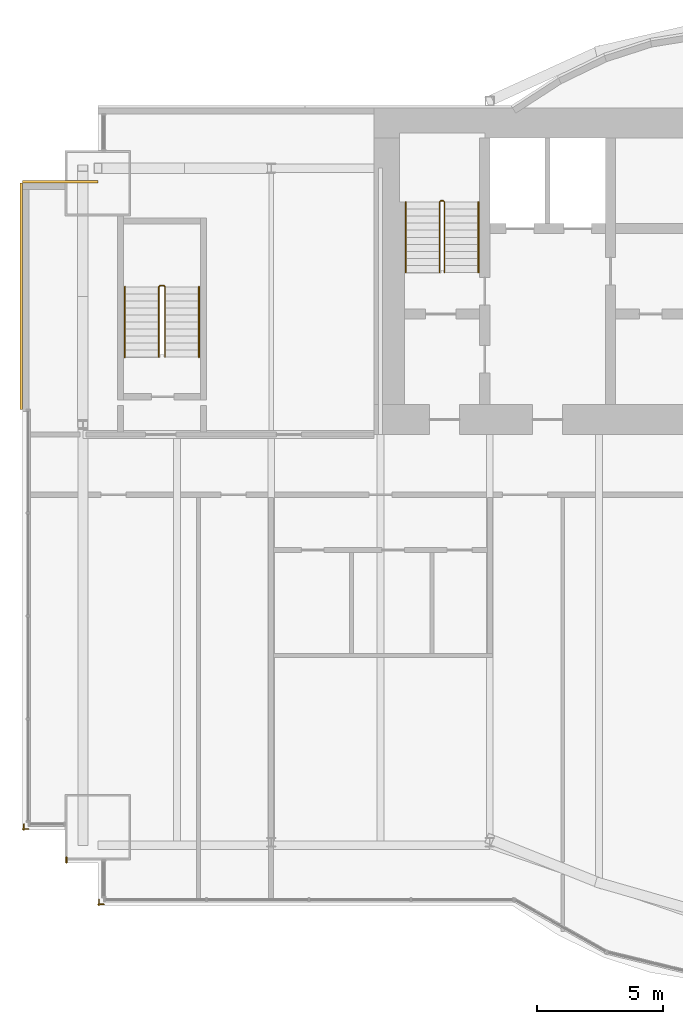
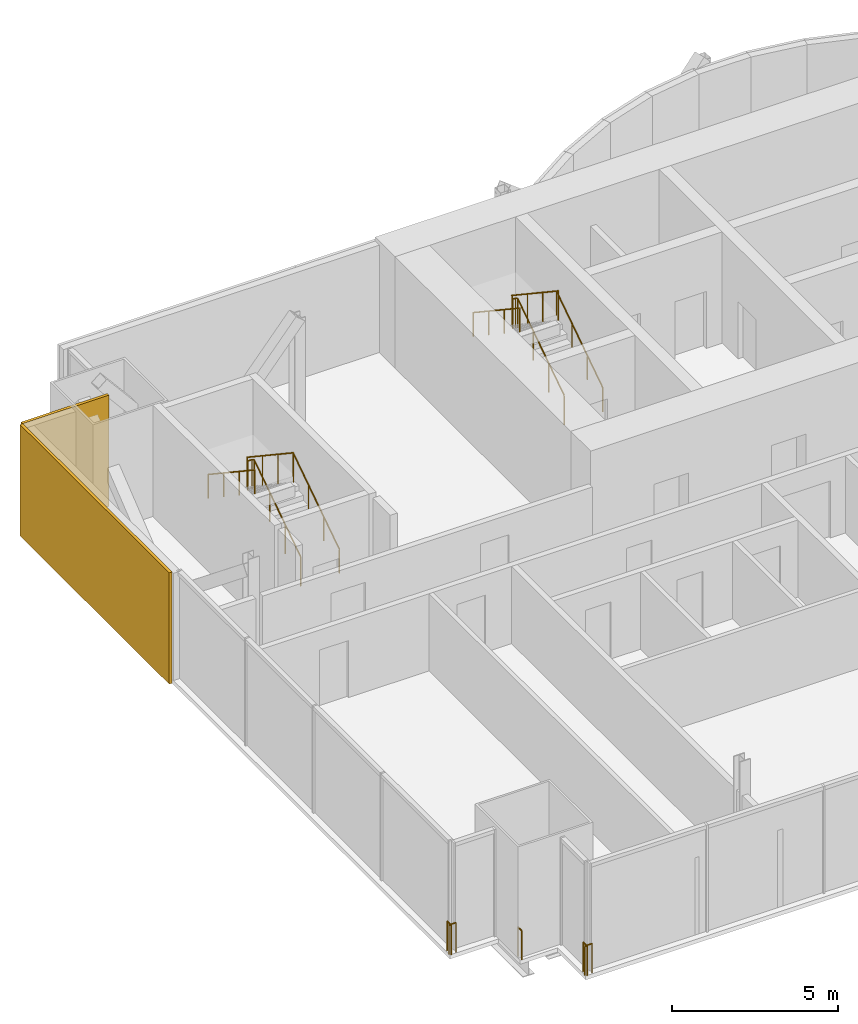
# One storey, part 18 of 20: 9 railings, 2 coverings.
"""IFC4 building model written with IfcOpenShell, lengths in metres."""

from ifc_helpers import new_model, si_unit, direction, frame, origin, origin_2d, place, context, subcontext, project, spatial, rectangle, circle, extrude, material, layer, layer_set, type_object, element, save


model = new_model("IFC4")

# Units and contexts
model_context = context("Model", 3, precision=1e-05, world=origin(), true_north=direction((0.0, 1.0)))
body_context = subcontext(model_context, "Body", "Model", "MODEL_VIEW")
ifc_project = project(units=[si_unit("LENGTHUNIT", "METRE"), si_unit("AREAUNIT", "SQUARE_METRE"), si_unit("VOLUMEUNIT", "CUBIC_METRE"), si_unit("PLANEANGLEUNIT", "RADIAN"), si_unit("MASSUNIT", "GRAM", prefix="KILO")], contexts=[model_context])

# Site, building, storey
site_placement = place(None, origin())
site = spatial("IfcSite", under=ifc_project, at=site_placement, CompositionType="ELEMENT")
building_placement = place(site_placement, origin())
building = spatial("IfcBuilding", under=site, at=building_placement, Name="Bicima Exchange Tower", CompositionType="ELEMENT")
storey_placement = place(building_placement, frame((0.0, 0.0, 215.5)))
storey = spatial("IfcBuildingStorey", under=building, at=storey_placement, Name="L48", CompositionType="ELEMENT", Elevation=215.5)

# Coverings
ifc_material_1 = material(Name="Bronze metal cladding")
ifc_layer_1 = layer(ifc_material_1, 0.004)
ifc_material_2 = material(Name="Ventilated cavity")
ifc_layer_2 = layer(ifc_material_2, 0.06)
ifc_material_3 = material(Name="Galvanised steel rail and mineral wool", Category="steel")
ifc_layer_3 = layer(ifc_material_3, 0.036)
ifc_layer_set = layer_set([ifc_layer_1, ifc_layer_2, ifc_layer_3], Name="Ventilated cavity")
covering_type = type_object("IfcCoveringType", Name="Bronze metal cladding panel 100", PredefinedType="CLADDING", material=ifc_layer_set)
covering_1_placement = place(storey_placement, frame((-34.5, -2.949951171875, -0.150146484375), z_axis=(0.0, 0.0, 1.0), x_axis=(-1.0, 0.0, 0.0)))
element("IfcCovering", 1, at=covering_1_placement, inside=storey, type_object=covering_type, Name="Bronze cladding L48 22.1", PredefinedType="CLADDING", context=body_context, shape_type="SweptSolid", body=[
    extrude(rectangle(XDim=3.0, YDim=0.10009765625, at=origin_2d()), origin(), (0.0, 0.0, 1.0), 4.10009765625),
])
covering_2_placement = place(storey_placement, frame((-36.050048828125, -7.5, -0.150146484375), z_axis=(0.0, 0.0, 1.0), x_axis=(0.0, -1.0, 0.0)))
element("IfcCovering", 2, at=covering_2_placement, inside=storey, type_object=covering_type, Name="Bronze cladding L48 23.1", PredefinedType="CLADDING", context=body_context, shape_type="SweptSolid", body=[
    extrude(rectangle(XDim=9.0, YDim=0.10009765625, at=origin_2d()), origin(), (0.0, 0.0, 1.0), 4.10009765625),
])

# Railings
ifc_material_4 = material(Name="Stainless steel and bonded safety glass", Category="steel")
railing_type_1 = type_object("IfcRailingType", Name="Edge guard 1100", PredefinedType="GUARDRAIL", material=ifc_material_4)
railing_1_placement = place(storey_placement, frame((-35.757080078125, -28.701904296875, 0.0)))
element("IfcRailing", 3, at=railing_1_placement, inside=storey, type_object=railing_type_1, Name="Edge guard L48 243", PredefinedType="GUARDRAIL", context=body_context, shape_type="SweptSolid", body=[
    extrude(circle(Radius=0.02392578125, at=origin_2d()), frame((0.0, 0.0, 1.076171875), z_axis=(-1.0, 0.0, 0.0), x_axis=(0.0, -1.0, 0.0)), (0.0, 0.0, 1.0), 0.242919921875),
    extrude(circle(Radius=0.02392578125, at=origin_2d()), frame((-0.242919921875, 0.0, 1.076171875), z_axis=(0.707106781187, -0.707106781187, 0.0), x_axis=(0.707106781187, 0.707106781187, 0.0)), (0.0, 0.0, 1.0), 0.07080078125),
    extrude(circle(Radius=0.02392578125, at=origin_2d()), frame((-0.19287109375, -0.050048828125, 1.076171875), z_axis=(0.0, 1.0, 0.0), x_axis=(-1.0, 0.0, 0.0)), (0.0, 0.0, 1.0), 0.248046875),
    extrude(circle(Radius=0.02099609375, at=origin_2d()), origin(), (0.0, 0.0, 1.0), 1.052001953125),
    extrude(circle(Radius=0.02099609375, at=origin_2d()), frame((-0.242919921875, 0.0, 0.0)), (0.0, 0.0, 1.0), 1.052001953125),
    extrude(circle(Radius=0.02099609375, at=origin_2d()), frame((-0.19287109375, -0.050048828125, 0.0)), (0.0, 0.0, 1.0), 1.052001953125),
    extrude(circle(Radius=0.02099609375, at=origin_2d()), frame((-0.19287109375, 0.197998046875, 0.0)), (0.0, 0.0, 1.0), 1.052001953125),
])
railing_2_placement = place(storey_placement, frame((-32.75, -31.701904296875, 0.0)))
element("IfcRailing", 4, at=railing_2_placement, inside=storey, type_object=railing_type_1, Name="Edge guard L48 247", PredefinedType="GUARDRAIL", context=body_context, shape_type="SweptSolid", body=[
    extrude(circle(Radius=0.02392578125, at=origin_2d()), frame((0.0, 0.0, 1.076171875), z_axis=(-1.0, 0.0, 0.0), x_axis=(0.0, -1.0, 0.0)), (0.0, 0.0, 1.0), 0.25),
    extrude(circle(Radius=0.02392578125, at=origin_2d()), frame((-0.25, 0.0, 1.076171875), z_axis=(0.707106781187, -0.707106781187, 0.0), x_axis=(0.707106781187, 0.707106781187, 0.0)), (0.0, 0.0, 1.0), 0.07080078125),
    extrude(circle(Radius=0.02392578125, at=origin_2d()), frame((-0.199951171875, -0.050048828125, 1.076171875), z_axis=(0.0, 1.0, 0.0), x_axis=(-1.0, 0.0, 0.0)), (0.0, 0.0, 1.0), 0.242919921875),
    extrude(circle(Radius=0.02099609375, at=origin_2d()), origin(), (0.0, 0.0, 1.0), 1.052001953125),
    extrude(circle(Radius=0.02099609375, at=origin_2d()), frame((-0.25, 0.0, 0.0)), (0.0, 0.0, 1.0), 1.052001953125),
    extrude(circle(Radius=0.02099609375, at=origin_2d()), frame((-0.199951171875, -0.050048828125, 0.0)), (0.0, 0.0, 1.0), 1.052001953125),
    extrude(circle(Radius=0.02099609375, at=origin_2d()), frame((-0.199951171875, 0.19287109375, 0.0)), (0.0, 0.0, 1.0), 1.052001953125),
])
railing_3_placement = place(storey_placement, frame((-34.25, -30.052001953125, 0.0)))
element("IfcRailing", 5, at=railing_3_placement, inside=storey, type_object=railing_type_1, Name="Edge guard L48 248", PredefinedType="GUARDRAIL", context=body_context, shape_type="SweptSolid", body=[
    extrude(circle(Radius=0.02392578125, at=origin_2d()), frame((0.0, 0.0, 1.076171875), z_axis=(0.0, 1.0, 0.0), x_axis=(-1.0, 0.0, 0.0)), (0.0, 0.0, 1.0), 0.217041015625),
    extrude(circle(Radius=0.02099609375, at=origin_2d()), origin(), (0.0, 0.0, 1.0), 1.052001953125),
    extrude(circle(Radius=0.02099609375, at=origin_2d()), frame((0.0, 0.217041015625, 0.0)), (0.0, 0.0, 1.0), 1.052001953125),
])
ifc_material_5 = material(Name="Stainless steel", Category="steel")
railing_type_2 = type_object("IfcRailingType", Name="Stair guard 1100", PredefinedType="GUARDRAIL", material=ifc_material_5)
railing_4_placement = place(storey_placement, frame((-19.199951171875, -6.550048828125, 0.186279296875)))
element("IfcRailing", 6, at=railing_4_placement, inside=storey, type_object=railing_type_2, Name="L48 ST-W stair guard 1", PredefinedType="GUARDRAIL", context=body_context, shape_type="SweptSolid", body=[
    extrude(circle(Radius=0.02392578125, at=origin_2d()), frame((0.0, 0.0, 1.076171875), z_axis=(0.0, 0.832452072856, 0.554097055034), x_axis=(-1.0, 0.0, 0.0)), (0.0, 0.0, 1.0), 3.363525390625),
    extrude(circle(Radius=0.02392578125, at=origin_2d()), frame((0.0, 2.800048828125, 2.93994140625), z_axis=(-0.707106781187, 0.707106781187, 0.0), x_axis=(-0.707106781187, -0.707106781187, 0.0)), (0.0, 0.0, 1.0), 0.07080078125),
    extrude(circle(Radius=0.02392578125, at=origin_2d()), frame((-0.050048828125, 2.85009765625, 2.93994140625), z_axis=(-1.0, 0.0, 0.0), x_axis=(0.0, -1.0, 0.0)), (0.0, 0.0, 1.0), 0.10009765625),
    extrude(circle(Radius=0.02392578125, at=origin_2d()), frame((-0.150146484375, 2.85009765625, 2.93994140625), z_axis=(-0.250008635948, -0.251234168477, 0.935081319748), x_axis=(0.708833529934, -0.705375805398, 0.0)), (0.0, 0.0, 1.0), 0.19921875),
    extrude(circle(Radius=0.02392578125, at=origin_2d()), frame((-0.199951171875, 2.800048828125, 3.1259765625), z_axis=(0.0, -0.832452072856, 0.554097055034), x_axis=(1.0, 0.0, 0.0)), (0.0, 0.0, 1.0), 3.363525390625),
    extrude(circle(Radius=0.02099609375, at=origin_2d()), origin(), (0.0, 0.0, 1.0), 1.052001953125),
    extrude(circle(Radius=0.02099609375, at=origin_2d()), frame((0.0, 0.933349609375, 0.621337890625)), (0.0, 0.0, 1.0), 1.052001953125),
    extrude(circle(Radius=0.02099609375, at=origin_2d()), frame((0.0, 1.86669921875, 1.242431640625)), (0.0, 0.0, 1.0), 1.052001953125),
    extrude(circle(Radius=0.02099609375, at=origin_2d()), frame((0.0, 2.800048828125, 1.86376953125)), (0.0, 0.0, 1.0), 1.052001953125),
    extrude(circle(Radius=0.02099609375, at=origin_2d()), frame((-0.050048828125, 2.85009765625, 1.86376953125)), (0.0, 0.0, 1.0), 1.052001953125),
    extrude(circle(Radius=0.02099609375, at=origin_2d()), frame((-0.150146484375, 2.85009765625, 1.86376953125)), (0.0, 0.0, 1.0), 1.052001953125),
    extrude(circle(Radius=0.02099609375, at=origin_2d()), frame((-0.199951171875, 2.800048828125, 2.050048828125)), (0.0, 0.0, 1.0), 1.052001953125),
    extrude(circle(Radius=0.02099609375, at=origin_2d()), frame((-0.199951171875, 1.86669921875, 2.67138671875)), (0.0, 0.0, 1.0), 1.052001953125),
    extrude(circle(Radius=0.02099609375, at=origin_2d()), frame((-0.199951171875, 0.933349609375, 3.29248046875)), (0.0, 0.0, 1.0), 1.052001953125),
    extrude(circle(Radius=0.02099609375, at=origin_2d()), frame((-0.199951171875, 0.0, 3.913818359375)), (0.0, 0.0, 1.0), 1.052001953125),
])
railing_5_placement = place(storey_placement, frame((-30.324951171875, -9.925048828125, 0.186279296875)))
element("IfcRailing", 7, at=railing_5_placement, inside=storey, type_object=railing_type_2, Name="L48 ST-WW stair guard 1", PredefinedType="GUARDRAIL", context=body_context, shape_type="SweptSolid", body=[
    extrude(circle(Radius=0.02392578125, at=origin_2d()), frame((0.0, 0.0, 1.076171875), z_axis=(0.0, 0.832452072856, 0.554097055034), x_axis=(-1.0, 0.0, 0.0)), (0.0, 0.0, 1.0), 3.363525390625),
    extrude(circle(Radius=0.02392578125, at=origin_2d()), frame((0.0, 2.800048828125, 2.93994140625), z_axis=(-0.707106781187, 0.707106781187, 0.0), x_axis=(-0.707106781187, -0.707106781187, 0.0)), (0.0, 0.0, 1.0), 0.07080078125),
    extrude(circle(Radius=0.02392578125, at=origin_2d()), frame((-0.050048828125, 2.85009765625, 2.93994140625), z_axis=(-1.0, 0.0, 0.0), x_axis=(0.0, -1.0, 0.0)), (0.0, 0.0, 1.0), 0.14990234375),
    extrude(circle(Radius=0.02392578125, at=origin_2d()), frame((-0.199951171875, 2.85009765625, 2.93994140625), z_axis=(-0.251157038772, -0.251157038772, 0.934794246747), x_axis=(0.707106781187, -0.707106781187, 0.0)), (0.0, 0.0, 1.0), 0.19921875),
    extrude(circle(Radius=0.02392578125, at=origin_2d()), frame((-0.25, 2.800048828125, 3.1259765625), z_axis=(0.0, -0.832452072856, 0.554097055034), x_axis=(1.0, 0.0, 0.0)), (0.0, 0.0, 1.0), 3.363525390625),
    extrude(circle(Radius=0.02099609375, at=origin_2d()), origin(), (0.0, 0.0, 1.0), 1.052001953125),
    extrude(circle(Radius=0.02099609375, at=origin_2d()), frame((0.0, 0.933349609375, 0.621337890625)), (0.0, 0.0, 1.0), 1.052001953125),
    extrude(circle(Radius=0.02099609375, at=origin_2d()), frame((0.0, 1.86669921875, 1.242431640625)), (0.0, 0.0, 1.0), 1.052001953125),
    extrude(circle(Radius=0.02099609375, at=origin_2d()), frame((0.0, 2.800048828125, 1.86376953125)), (0.0, 0.0, 1.0), 1.052001953125),
    extrude(circle(Radius=0.02099609375, at=origin_2d()), frame((-0.050048828125, 2.85009765625, 1.86376953125)), (0.0, 0.0, 1.0), 1.052001953125),
    extrude(circle(Radius=0.02099609375, at=origin_2d()), frame((-0.199951171875, 2.85009765625, 1.86376953125)), (0.0, 0.0, 1.0), 1.052001953125),
    extrude(circle(Radius=0.02099609375, at=origin_2d()), frame((-0.25, 2.800048828125, 2.050048828125)), (0.0, 0.0, 1.0), 1.052001953125),
    extrude(circle(Radius=0.02099609375, at=origin_2d()), frame((-0.25, 1.86669921875, 2.67138671875)), (0.0, 0.0, 1.0), 1.052001953125),
    extrude(circle(Radius=0.02099609375, at=origin_2d()), frame((-0.25, 0.933349609375, 3.29248046875)), (0.0, 0.0, 1.0), 1.052001953125),
    extrude(circle(Radius=0.02099609375, at=origin_2d()), frame((-0.25, 0.0, 3.913818359375)), (0.0, 0.0, 1.0), 1.052001953125),
])
railing_type_3 = type_object("IfcRailingType", Name="Stair handrail 900", PredefinedType="HANDRAIL", material=ifc_material_5)
railing_6_placement = place(storey_placement, frame((-17.85009765625, -6.550048828125, 0.186279296875)))
element("IfcRailing", 8, at=railing_6_placement, inside=storey, type_object=railing_type_3, Name="L48 ST-W stair handrail 1", PredefinedType="HANDRAIL", context=body_context, shape_type="SweptSolid", body=[
    extrude(circle(Radius=0.02392578125, at=origin_2d()), frame((0.0, 0.0, 0.8759765625), z_axis=(0.0, 0.832452072856, 0.554097055034), x_axis=(-1.0, 0.0, 0.0)), (0.0, 0.0, 1.0), 3.363525390625),
    extrude(circle(Radius=0.02099609375, at=origin_2d()), origin(), (0.0, 0.0, 1.0), 0.851806640625),
    extrude(circle(Radius=0.02099609375, at=origin_2d()), frame((0.0, 0.933349609375, 0.621337890625)), (0.0, 0.0, 1.0), 0.851806640625),
    extrude(circle(Radius=0.02099609375, at=origin_2d()), frame((0.0, 1.86669921875, 1.242431640625)), (0.0, 0.0, 1.0), 0.851806640625),
    extrude(circle(Radius=0.02099609375, at=origin_2d()), frame((0.0, 2.800048828125, 1.86376953125)), (0.0, 0.0, 1.0), 0.851806640625),
])
railing_7_placement = place(storey_placement, frame((-20.75, -3.75, 2.27685546875)))
element("IfcRailing", 9, at=railing_7_placement, inside=storey, type_object=railing_type_3, Name="L48 ST-W stair handrail 2", PredefinedType="HANDRAIL", context=body_context, shape_type="SweptSolid", body=[
    extrude(circle(Radius=0.02392578125, at=origin_2d()), frame((0.0, 0.0, 0.8759765625), z_axis=(0.0, -0.832485552168, 0.554046753832), x_axis=(1.0, 0.0, 0.0)), (0.0, 0.0, 1.0), 3.363525390625),
    extrude(circle(Radius=0.02099609375, at=origin_2d()), origin(), (0.0, 0.0, 1.0), 0.851806640625),
    extrude(circle(Radius=0.02099609375, at=origin_2d()), frame((0.0, -0.933349609375, 0.62109375)), (0.0, 0.0, 1.0), 0.851806640625),
    extrude(circle(Radius=0.02099609375, at=origin_2d()), frame((0.0, -1.86669921875, 1.242431640625)), (0.0, 0.0, 1.0), 0.851806640625),
    extrude(circle(Radius=0.02099609375, at=origin_2d()), frame((0.0, -2.800048828125, 1.863525390625)), (0.0, 0.0, 1.0), 0.851806640625),
])
railing_8_placement = place(storey_placement, frame((-28.97509765625, -9.925048828125, 0.186279296875)))
element("IfcRailing", 10, at=railing_8_placement, inside=storey, type_object=railing_type_3, Name="L48 ST-WW stair handrail 1", PredefinedType="HANDRAIL", context=body_context, shape_type="SweptSolid", body=[
    extrude(circle(Radius=0.02392578125, at=origin_2d()), frame((0.0, 0.0, 0.8759765625), z_axis=(0.0, 0.832452072856, 0.554097055034), x_axis=(-1.0, 0.0, 0.0)), (0.0, 0.0, 1.0), 3.363525390625),
    extrude(circle(Radius=0.02099609375, at=origin_2d()), origin(), (0.0, 0.0, 1.0), 0.851806640625),
    extrude(circle(Radius=0.02099609375, at=origin_2d()), frame((0.0, 0.933349609375, 0.621337890625)), (0.0, 0.0, 1.0), 0.851806640625),
    extrude(circle(Radius=0.02099609375, at=origin_2d()), frame((0.0, 1.86669921875, 1.242431640625)), (0.0, 0.0, 1.0), 0.851806640625),
    extrude(circle(Radius=0.02099609375, at=origin_2d()), frame((0.0, 2.800048828125, 1.86376953125)), (0.0, 0.0, 1.0), 0.851806640625),
])
railing_9_placement = place(storey_placement, frame((-31.925048828125, -7.125, 2.27685546875)))
element("IfcRailing", 11, at=railing_9_placement, inside=storey, type_object=railing_type_3, Name="L48 ST-WW stair handrail 2", PredefinedType="HANDRAIL", context=body_context, shape_type="SweptSolid", body=[
    extrude(circle(Radius=0.02392578125, at=origin_2d()), frame((0.0, 0.0, 0.8759765625), z_axis=(0.0, -0.832485552168, 0.554046753832), x_axis=(1.0, 0.0, 0.0)), (0.0, 0.0, 1.0), 3.363525390625),
    extrude(circle(Radius=0.02099609375, at=origin_2d()), origin(), (0.0, 0.0, 1.0), 0.851806640625),
    extrude(circle(Radius=0.02099609375, at=origin_2d()), frame((0.0, -0.933349609375, 0.62109375)), (0.0, 0.0, 1.0), 0.851806640625),
    extrude(circle(Radius=0.02099609375, at=origin_2d()), frame((0.0, -1.86669921875, 1.242431640625)), (0.0, 0.0, 1.0), 0.851806640625),
    extrude(circle(Radius=0.02099609375, at=origin_2d()), frame((0.0, -2.800048828125, 1.863525390625)), (0.0, 0.0, 1.0), 0.851806640625),
])

save(model, "model.ifc")
